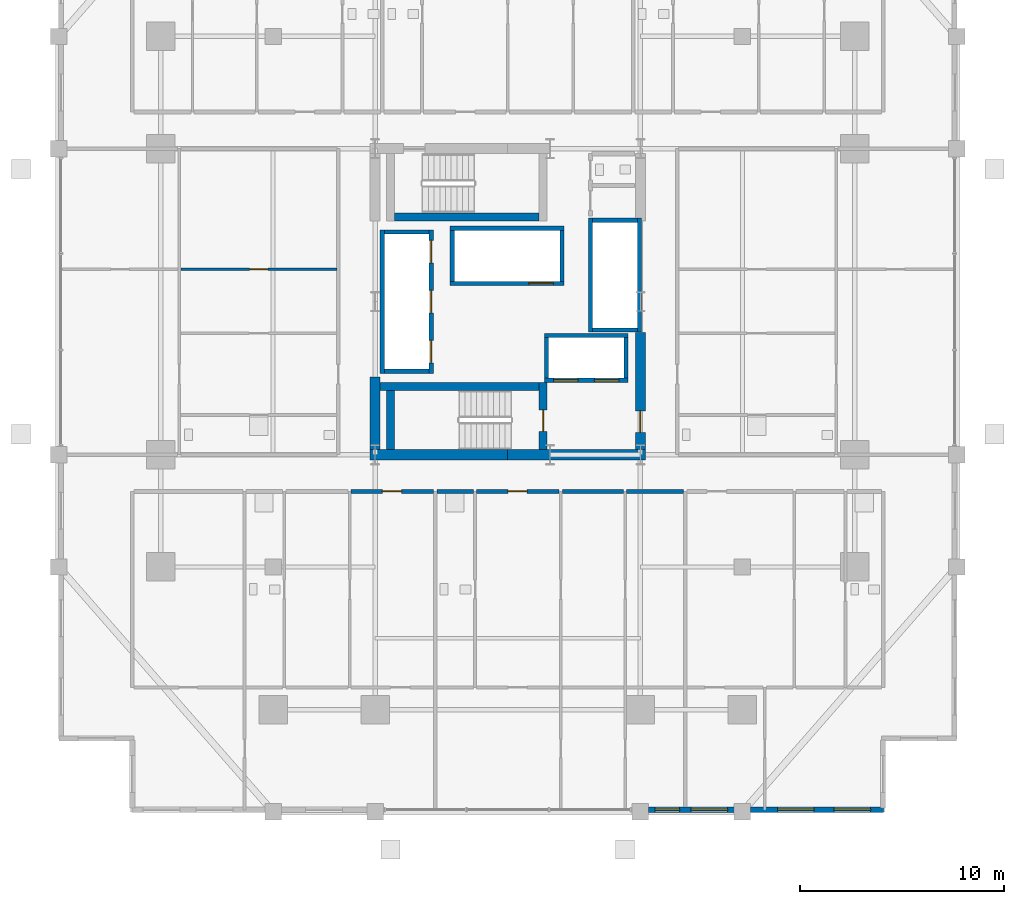
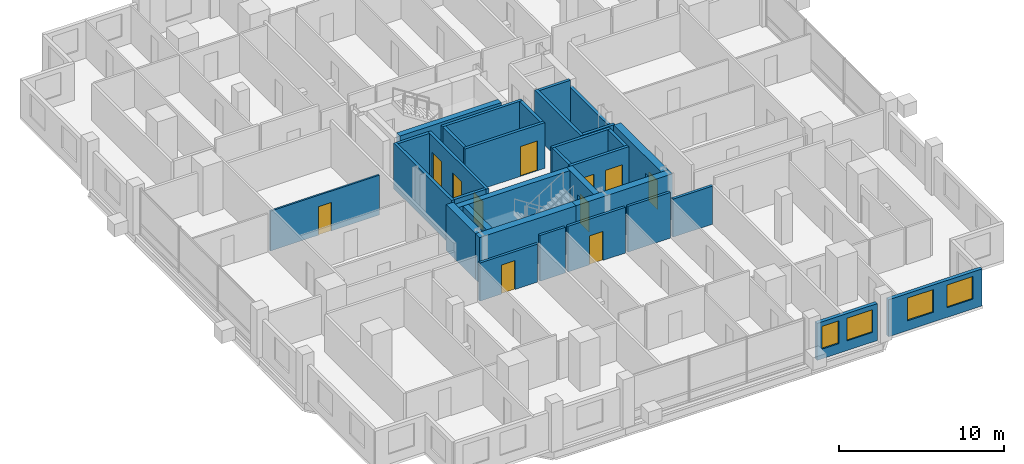
# One storey, part 18 of 24: 32 walls, 11 doors, 4 windows, 15 openings.
"""IFC4 building model written with IfcOpenShell, lengths in metres."""

import ifcopenshell
import ifcopenshell.guid

model = None  # the IFC model being written
_history = None  # IfcOwnerHistory: only IFC2X3 demands one
_inside = {}  # id of a spatial element -> (the spatial element, [elements in it])
_under = {}  # id of a project, library or spatial element -> (it, [spatial elements below it])
_declared = {}  # id of a project -> (the project, [libraries it declares])
_typed = {}  # id of a type object -> (the type object, [elements of that type])
_made_of = {}  # id of a material, layer set ... -> (it, [elements and type objects made of it])


def new_model(schema):
    """Start an empty IFC model of exactly this schema.

    Asked for "IFC4X3", IfcOpenShell would pick the latest addendum, in which some entities
    have other attributes; the version numbers below select the first issue.
    IFC2X3 requires an IfcOwnerHistory on every rooted entity: one is made here for all.
    """
    global model, _history
    if schema == "IFC4X3":
        model = ifcopenshell.file(schema_version=(4, 3, 0, 0))
    else:
        model = ifcopenshell.file(schema=schema)
    _inside.clear()
    _under.clear()
    _declared.clear()
    _typed.clear()
    _made_of.clear()
    _history = None
    if model.schema == "IFC2X3":
        org = make("IfcOrganization", Name="unknown")
        user = make(
            "IfcPersonAndOrganization",
            ThePerson=make("IfcPerson", FamilyName="unknown"),
            TheOrganization=org,
        )
        app = make(
            "IfcApplication",
            ApplicationDeveloper=org,
            Version="unknown",
            ApplicationFullName="unknown",
            ApplicationIdentifier="unknown",
        )
        _history = make(
            "IfcOwnerHistory",
            OwningUser=user,
            OwningApplication=app,
            ChangeAction="ADDED",
            CreationDate=0,
        )
    return model


def make(cls, **values):
    """One entity of the class cls with the attributes given. An attribute that is None is left unset."""
    return model.create_entity(
        cls, **{name: value for name, value in values.items() if value is not None}
    )


def rooted(cls, **values):
    """An entity with a GlobalId (a new one), such as an element, a storey or a relation."""
    return make(cls, GlobalId=ifcopenshell.guid.new(), OwnerHistory=_history, **values)


def si_unit(unit_type, name, prefix=None):
    """IfcSIUnit, for example si_unit("LENGTHUNIT", "METRE", prefix="MILLI")."""
    return make("IfcSIUnit", UnitType=unit_type, Prefix=prefix, Name=name)


def assignment(units):
    """IfcUnitAssignment: the units of a project."""
    return None if units is None else make("IfcUnitAssignment", Units=units)


def point(xyz):
    """IfcCartesianPoint."""
    return None if xyz is None else make("IfcCartesianPoint", Coordinates=xyz)


def direction(xyz):
    """IfcDirection."""
    return None if xyz is None else make("IfcDirection", DirectionRatios=xyz)


def frame(location, z_axis=None, x_axis=None):
    """IfcAxis2Placement3D, a coordinate frame: its origin and axes. An axis left out is left unset."""
    return make(
        "IfcAxis2Placement3D",
        Location=point(location),
        Axis=direction(z_axis),
        RefDirection=direction(x_axis),
    )


def frame_2d(location, x_axis=None):
    """IfcAxis2Placement2D, a coordinate frame in the plane: its origin and x axis."""
    return make(
        "IfcAxis2Placement2D", Location=point(location), RefDirection=direction(x_axis)
    )


def origin():
    """The frame at (0, 0, 0) with its axes left unset."""
    return frame((0.0, 0.0, 0.0))


def place(relative_to, where):
    """IfcLocalPlacement: puts the frame where relative to a parent placement (None: the world)."""
    return make(
        "IfcLocalPlacement", PlacementRelTo=relative_to, RelativePlacement=where
    )


def context(
    kind, dimensions, precision=None, world=None, true_north=None, identifier=None
):
    """IfcGeometricRepresentationContext, for example the 3D "Model" context."""
    return make(
        "IfcGeometricRepresentationContext",
        ContextIdentifier=identifier,
        ContextType=kind,
        CoordinateSpaceDimension=dimensions,
        Precision=precision,
        WorldCoordinateSystem=world,
        TrueNorth=true_north,
    )


def subcontext(parent, identifier, kind, view, scale=None):
    """IfcGeometricRepresentationSubContext, for example "Body" below "Model"."""
    return make(
        "IfcGeometricRepresentationSubContext",
        ContextIdentifier=identifier,
        ContextType=kind,
        ParentContext=parent,
        TargetScale=scale,
        TargetView=view,
    )


def project(units=None, contexts=None):
    """IfcProject with its units and contexts."""
    return rooted(
        "IfcProject",
        Name="project",
        RepresentationContexts=contexts,
        UnitsInContext=assignment(units),
    )


def spatial(cls, under=None, at=None, **own):
    """A site, building, storey or space (cls), placed at a placement, below another one or the project."""
    s = rooted(cls, ObjectPlacement=at, **own)
    if under is not None:
        _under.setdefault(under.id(), (under, []))[1].append(s)
    return s


def profile(cls, at=None, kind="AREA", **sizes):
    """A parametric profile (cls). Its sizes go by their IFC names, for example OverallWidth=200.0."""
    return make(cls, ProfileType=kind, Position=at, **sizes)


def rectangle(**sizes):
    """IfcRectangleProfileDef."""
    return profile("IfcRectangleProfileDef", **sizes)


def extrude(swept, where, along, depth):
    """IfcExtrudedAreaSolid: the profile swept, set in the frame where, extruded along a direction by depth."""
    return make(
        "IfcExtrudedAreaSolid",
        SweptArea=swept,
        Position=where,
        ExtrudedDirection=direction(along),
        Depth=depth,
    )


def shape(context_of_items, identifier, shape_type, items):
    """IfcShapeRepresentation: the items that make up one representation, for example the "Body"."""
    return make(
        "IfcShapeRepresentation",
        ContextOfItems=context_of_items,
        RepresentationIdentifier=identifier,
        RepresentationType=shape_type,
        Items=items,
    )


def material(Name=None, Category=None):
    """IfcMaterial."""
    return make("IfcMaterial", Name=Name, Category=Category)


def layer(
    of_material, thickness, ventilated=None, Name=None, Category=None, Priority=None
):
    """IfcMaterialLayer: one layer of a wall or slab, of a material (None: an air gap)."""
    return make(
        "IfcMaterialLayer",
        Material=of_material,
        LayerThickness=thickness,
        IsVentilated=ventilated,
        Name=Name,
        Category=Category,
        Priority=Priority,
    )


def layer_set(layers, Name=None):
    """IfcMaterialLayerSet."""
    return make("IfcMaterialLayerSet", MaterialLayers=layers, LayerSetName=Name)


def made_of(thing, what):
    """Note that an element or type object is made of a material, layer set ...; save() writes the relation."""
    if what is not None:
        _made_of.setdefault(what.id(), (what, []))[1].append(thing)
    return thing


def type_object(cls, material=None, **own):
    """A type object (cls), such as IfcWallType, which elements share."""
    return made_of(rooted(cls, **own), material)


def element(
    cls,
    number,
    at=None,
    inside=None,
    cuts=None,
    type_object=None,
    material=None,
    context=None,
    identifier="Body",
    shape_type=None,
    held_by="IfcProductDefinitionShape",
    body=None,
    shapes=None,
    **own,
):
    """One element of the class cls, such as IfcWall. Its Tag is "e" and its number.

    at: its placement. inside: the storey or other place that contains it. cuts: it is an
    opening in that element (IfcRelVoidsElement). A single representation is given by context,
    identifier, shape_type and body (its items); several are given by shapes. held_by: the class
    of the entity that holds the representations. save() writes the other relations.
    """
    e = rooted(cls, Tag="e%d" % number, ObjectPlacement=at, **own)
    if body is not None:
        shapes = [shape(context, identifier, shape_type, body)]
    if shapes is not None:
        e.Representation = make(held_by, Representations=shapes)
    if inside is not None:
        _inside.setdefault(inside.id(), (inside, []))[1].append(e)
    if cuts is not None:
        rooted(
            "IfcRelVoidsElement", RelatingBuildingElement=cuts, RelatedOpeningElement=e
        )
    if type_object is not None:
        _typed.setdefault(type_object.id(), (type_object, []))[1].append(e)
    return made_of(e, material)


def fill(opening, filler):
    """IfcRelFillsElement: the door or window that sits in an opening."""
    return rooted(
        "IfcRelFillsElement",
        RelatingOpeningElement=opening,
        RelatedBuildingElement=filler,
    )


def aggregate(whole, parts):
    """IfcRelAggregates: a whole, such as a stair, and the parts it consists of."""
    return rooted("IfcRelAggregates", RelatingObject=whole, RelatedObjects=parts)


def save(model, path):
    """Write the relations noted so far, then the file.

    IfcRelAggregates (storeys below a building ...), IfcRelContainedInSpatialStructure (elements
    in a storey), IfcRelDefinesByType, IfcRelAssociatesMaterial and IfcRelDeclares: one each for
    every whole, place, type object, material and project.
    """
    for whole, parts in _under.values():
        aggregate(whole, parts)
    for where, things in _inside.values():
        rooted(
            "IfcRelContainedInSpatialStructure",
            RelatedElements=things,
            RelatingStructure=where,
        )
    for kind, things in _typed.values():
        rooted("IfcRelDefinesByType", RelatedObjects=things, RelatingType=kind)
    for what, things in _made_of.values():
        rooted("IfcRelAssociatesMaterial", RelatedObjects=things, RelatingMaterial=what)
    for by, libraries in _declared.values():
        rooted("IfcRelDeclares", RelatingContext=by, RelatedDefinitions=libraries)
    model.write(path)


model = new_model("IFC4")

# Units and contexts
model_context = context("Model", 3, precision=1e-05, world=origin(), true_north=direction((0.0, 1.0)))
body_context = subcontext(model_context, "Body", "Model", "MODEL_VIEW")
ifc_project = project(units=[si_unit("LENGTHUNIT", "METRE"), si_unit("AREAUNIT", "SQUARE_METRE"), si_unit("VOLUMEUNIT", "CUBIC_METRE"), si_unit("PLANEANGLEUNIT", "RADIAN"), si_unit("MASSUNIT", "GRAM", prefix="KILO")], contexts=[model_context])

# Site, building, storey
site_placement = place(None, origin())
site = spatial("IfcSite", under=ifc_project, at=site_placement, CompositionType="ELEMENT")
building_placement = place(site_placement, origin())
building = spatial("IfcBuilding", under=site, at=building_placement, Name="Barlavira Tower and Art Museum", CompositionType="ELEMENT")
storey_placement = place(building_placement, frame((0.0, 0.0, 43.199951171875)))
storey = spatial("IfcBuildingStorey", under=building, at=storey_placement, Name="L09", CompositionType="ELEMENT", Elevation=43.199951171875)

# Wall, opening, door
ifc_material_1 = material(Name="Gypsum acoustic stud partition", Category="gypsum")
ifc_layer_1 = layer(ifc_material_1, 0.1201171875, Name="Gypsum acoustic stud partition")
ifc_layer_set_1 = layer_set([ifc_layer_1], Name="Gypsum acoustic stud partition")
wall_type_1 = type_object("IfcWallType", Name="Apartment Internal Acoustic Partition 120", PredefinedType="PARTITIONING", material=ifc_layer_set_1)
wall_1_placement = place(storey_placement, frame((-16.02001953125, 1.60009765625, 0.0), z_axis=(0.0, 0.0, 1.0), x_axis=(1.0, 0.0, 0.0)))
wall_1 = element("IfcWall", 1, at=wall_1_placement, inside=storey, type_object=wall_type_1, Name="L09 Partition Wall 64", PredefinedType="PARTITIONING", context=body_context, shape_type="SweptSolid", body=[
    extrude(rectangle(XDim=7.64013671875, YDim=0.1201171875, at=frame_2d((3.820068359375, 0.0))), origin(), (0.0, 0.0, 1.0), 2.947998046875),
])
opening_1_placement = place(wall_1_placement, frame((3.3701171875, 0.0, 0.0)))
opening_1 = element("IfcOpeningElement", 2, at=opening_1_placement, cuts=wall_1, Name="Opening D-01", PredefinedType="OPENING", context=body_context, shape_type="SweptSolid", body=[
    extrude(rectangle(XDim=0.89990234375, YDim=2.10009765625, at=frame_2d((0.449951171875, 1.050048828125))), frame((0.0, 0.070068359375, 0.0), z_axis=(0.0, -1.0, 0.0), x_axis=(1.0, 0.0, 0.0)), (0.0, 0.0, 1.0), 0.14013671875),
])
ifc_material_2 = material(Name="Engineered coastal hardwood", Category="wood")
door_type_1 = type_object("IfcDoorType", Name="Internal Bedroom Timber Flush Door 900x2100", OperationType="NOTDEFINED", PredefinedType="DOOR", material=ifc_material_2)
door_1_placement = place(opening_1_placement, origin())
door_1 = element("IfcDoor", 3, at=door_1_placement, inside=storey, type_object=door_type_1, Name="Apartment W1 Walk-In Dressing Room Door", OperationType="SINGLE_SWING_LEFT", OverallHeight=2.10009765625, OverallWidth=0.89990234375, PredefinedType="DOOR", context=body_context, shape_type="SweptSolid", body=[
    extrude(rectangle(XDim=0.89990234375, YDim=2.10009765625, at=frame_2d((0.449951171875, 1.050048828125))), frame((0.0, 0.02490234375, 0.0), z_axis=(0.0, -1.0, 0.0), x_axis=(1.0, 0.0, 0.0)), (0.0, 0.0, 1.0), 0.050048828125),
])
fill(opening_1, door_1)

# Walls
ifc_material_3 = material(Name="Concrete C60", Category="concrete")
ifc_layer_2 = layer(ifc_material_3, 0.5, Name="Concrete C60")
ifc_layer_set_2 = layer_set([ifc_layer_2], Name="Concrete C60")
wall_type_2 = type_object("IfcWallType", Name="Core Structural Shear Wall 500 Concrete C60", PredefinedType="SHEAR", material=ifc_layer_set_2)
for number, where, z_axis, x_axis, name in (
    (4, (-6.75, -7.5, 0.0), (0.0, 0.0, 1.0), (1.0, 0.0, 0.0), "L09 Core Shear Wall CS-SW"),
    (5, (0.0, -7.5, 0.0), (0.0, 0.0, 1.0), (1.0, 0.0, 0.0), "L09 Core Shear Wall CS-SE"),
):
    element("IfcWall", number, at=place(storey_placement, frame(where, z_axis=z_axis, x_axis=x_axis)), inside=storey, type_object=wall_type_2, Name=name, PredefinedType="SHEAR", context=body_context, shape_type="SweptSolid", body=[
        extrude(rectangle(XDim=6.75, YDim=0.5, at=frame_2d((3.375, 0.0))), origin(), (0.0, 0.0, 1.0), 3.380126953125),
    ])
wall_2_placement = place(storey_placement, frame((-6.5, -7.25, 0.0), z_axis=(0.0, 0.0, 1.0), x_axis=(0.0, 1.0, 0.0)))
element("IfcWall", 6, at=wall_2_placement, inside=storey, type_object=wall_type_2, Name="L09 Core Shear Wall CS-W1", PredefinedType="SHEAR", context=body_context, shape_type="SweptSolid", body=[
    extrude(rectangle(XDim=3.550048828125, YDim=0.5, at=frame_2d((1.77490234375, 0.0))), origin(), (0.0, 0.0, 1.0), 3.380126953125),
])

# Wall, opening, door
wall_3_placement = place(storey_placement, frame((6.5, -7.25, 0.0), z_axis=(0.0, 0.0, 1.0), x_axis=(0.0, 1.0, 0.0)))
wall_3 = element("IfcWall", 7, at=wall_3_placement, inside=storey, type_object=wall_type_2, Name="L09 Core Shear Wall CS-E1", PredefinedType="SHEAR", context=body_context, shape_type="SweptSolid", body=[
    extrude(rectangle(XDim=5.75, YDim=0.5, at=frame_2d((2.875, 0.0))), origin(), (0.0, 0.0, 1.0), 3.380126953125),
])
opening_2_placement = place(wall_3_placement, frame((0.85009765625, 0.0, 0.0)))
opening_2 = element("IfcOpeningElement", 8, at=opening_2_placement, cuts=wall_3, Name="Opening FD-90", PredefinedType="OPENING", context=body_context, shape_type="SweptSolid", body=[
    extrude(rectangle(XDim=1.050048828125, YDim=2.14990234375, at=frame_2d((0.52490234375, 1.074951171875))), frame((0.0, 0.260009765625, 0.0), z_axis=(0.0, -1.0, 0.0), x_axis=(1.0, 0.0, 0.0)), (0.0, 0.0, 1.0), 0.52001953125),
])
ifc_material_4 = material(Name="Brushed stainless steel", Category="steel")
door_type_2 = type_object("IfcDoorType", Name="Stair and Refuge Fire Door 1050x2150 FD90S", OperationType="NOTDEFINED", PredefinedType="DOOR", material=ifc_material_4)
door_2_placement = place(opening_2_placement, origin())
door_2 = element("IfcDoor", 9, at=door_2_placement, inside=storey, type_object=door_type_2, Name="L09 Firefighting Lobby Entry Fire Door", OperationType="SINGLE_SWING_LEFT", OverallHeight=2.14990234375, OverallWidth=1.050048828125, PredefinedType="DOOR", context=body_context, shape_type="SweptSolid", body=[
    extrude(rectangle(XDim=1.050048828125, YDim=2.14990234375, at=frame_2d((0.52490234375, 1.074951171875))), frame((0.0, 0.02490234375, 0.0), z_axis=(0.0, -1.0, 0.0), x_axis=(1.0, 0.0, 0.0)), (0.0, 0.0, 1.0), 0.050048828125),
])
fill(opening_2, door_2)

# Wall, openings, doors
ifc_material_5 = material(Name="Autoclaved aerated concrete masonry", Category="masonry")
ifc_layer_3 = layer(ifc_material_5, 0.199951171875, Name="Autoclaved aerated concrete masonry")
ifc_layer_set_3 = layer_set([ifc_layer_3], Name="Autoclaved aerated concrete masonry")
wall_type_3 = type_object("IfcWallType", Name="Fire Compartment and Shaft Wall 200", PredefinedType="SOLIDWALL", material=ifc_layer_set_3)
wall_4_placement = place(storey_placement, frame((-3.75, -3.510009765625, 0.0), z_axis=(0.0, 0.0, 1.0), x_axis=(0.0, 1.0, 0.0)))
wall_4 = element("IfcWall", 10, at=wall_4_placement, inside=storey, type_object=wall_type_3, Name="L09 Low-Rise Lift Front Shaft Wall", PredefinedType="SOLIDWALL", context=body_context, shape_type="SweptSolid", body=[
    extrude(rectangle(XDim=7.02001953125, YDim=0.199951171875, at=frame_2d((3.510009765625, 0.0))), origin(), (0.0, 0.0, 1.0), 3.380126953125),
])
opening_3_placement = place(wall_4_placement, frame((0.510009765625, 0.0, 0.0)))
opening_3 = element("IfcOpeningElement", 11, at=opening_3_placement, cuts=wall_4, Name="Opening LD-P", PredefinedType="OPENING", context=body_context, shape_type="SweptSolid", body=[
    extrude(rectangle(XDim=1.10009765625, YDim=2.14990234375, at=frame_2d((0.550048828125, 1.074951171875))), frame((0.0, 0.10986328125, 0.0), z_axis=(0.0, -1.0, 0.0), x_axis=(1.0, 0.0, 0.0)), (0.0, 0.0, 1.0), 0.219970703125),
])
opening_4_placement = place(wall_4_placement, frame((2.9599609375, 0.0, 0.0)))
opening_4 = element("IfcOpeningElement", 12, at=opening_4_placement, cuts=wall_4, Name="Opening LD-P", PredefinedType="OPENING", context=body_context, shape_type="SweptSolid", body=[
    extrude(rectangle(XDim=1.10009765625, YDim=2.14990234375, at=frame_2d((0.550048828125, 1.074951171875))), frame((0.0, 0.10986328125, 0.0), z_axis=(0.0, -1.0, 0.0), x_axis=(1.0, 0.0, 0.0)), (0.0, 0.0, 1.0), 0.219970703125),
])
opening_5_placement = place(wall_4_placement, frame((5.409912109375, 0.0, 0.0)))
opening_5 = element("IfcOpeningElement", 13, at=opening_5_placement, cuts=wall_4, Name="Opening LD-P", PredefinedType="OPENING", context=body_context, shape_type="SweptSolid", body=[
    extrude(rectangle(XDim=1.10009765625, YDim=2.14990234375, at=frame_2d((0.550048828125, 1.074951171875))), frame((0.0, 0.10986328125, 0.0), z_axis=(0.0, -1.0, 0.0), x_axis=(1.0, 0.0, 0.0)), (0.0, 0.0, 1.0), 0.219970703125),
])
door_type_3 = type_object("IfcDoorType", Name="Passenger Lift Sliding Landing Door 1100x2150 FD60", OperationType="NOTDEFINED", PredefinedType="DOOR", material=ifc_material_4)
door_3_placement = place(opening_3_placement, origin())
door_3 = element("IfcDoor", 14, at=door_3_placement, inside=storey, type_object=door_type_3, Name="L09 Lift PL1 Sliding Landing Door", OperationType="DOUBLE_DOOR_SLIDING", OverallHeight=2.14990234375, OverallWidth=1.10009765625, PredefinedType="DOOR", context=body_context, shape_type="SweptSolid", body=[
    extrude(rectangle(XDim=1.10009765625, YDim=2.14990234375, at=frame_2d((0.550048828125, 1.074951171875))), frame((0.0, 0.02490234375, 0.0), z_axis=(0.0, -1.0, 0.0), x_axis=(1.0, 0.0, 0.0)), (0.0, 0.0, 1.0), 0.050048828125),
])
fill(opening_3, door_3)
door_4_placement = place(opening_4_placement, origin())
door_4 = element("IfcDoor", 15, at=door_4_placement, inside=storey, type_object=door_type_3, Name="L09 Lift PL2 Sliding Landing Door", OperationType="DOUBLE_DOOR_SLIDING", OverallHeight=2.14990234375, OverallWidth=1.10009765625, PredefinedType="DOOR", context=body_context, shape_type="SweptSolid", body=[
    extrude(rectangle(XDim=1.10009765625, YDim=2.14990234375, at=frame_2d((0.550048828125, 1.074951171875))), frame((0.0, 0.02490234375, 0.0), z_axis=(0.0, -1.0, 0.0), x_axis=(1.0, 0.0, 0.0)), (0.0, 0.0, 1.0), 0.050048828125),
])
fill(opening_4, door_4)
door_5_placement = place(opening_5_placement, origin())
door_5 = element("IfcDoor", 16, at=door_5_placement, inside=storey, type_object=door_type_3, Name="L09 Lift PL3 Sliding Landing Door", OperationType="DOUBLE_DOOR_SLIDING", OverallHeight=2.14990234375, OverallWidth=1.10009765625, PredefinedType="DOOR", context=body_context, shape_type="SweptSolid", body=[
    extrude(rectangle(XDim=1.10009765625, YDim=2.14990234375, at=frame_2d((0.550048828125, 1.074951171875))), frame((0.0, 0.02490234375, 0.0), z_axis=(0.0, -1.0, 0.0), x_axis=(1.0, 0.0, 0.0)), (0.0, 0.0, 1.0), 0.050048828125),
])
fill(opening_5, door_5)

# Walls
wall_5_placement = place(storey_placement, frame((-6.14990234375, -3.510009765625, 0.0), z_axis=(0.0, 0.0, 1.0), x_axis=(0.0, 1.0, 0.0)))
element("IfcWall", 17, at=wall_5_placement, inside=storey, type_object=wall_type_3, Name="L09 Low-Rise Lift Back Shaft Wall", PredefinedType="SOLIDWALL", context=body_context, shape_type="SweptSolid", body=[
    extrude(rectangle(XDim=7.02001953125, YDim=0.199951171875, at=frame_2d((3.510009765625, 0.0))), origin(), (0.0, 0.0, 1.0), 3.380126953125),
])
for number, where, z_axis, x_axis, name in (
    (18, (-6.050048828125, -3.409912109375, 0.0), (0.0, 0.0, 1.0), (1.0, 0.0, 0.0), "L09 Low-Rise Lift South Shaft Wall"),
    (19, (-6.050048828125, 3.409912109375, 0.0), (0.0, 0.0, 1.0), (1.0, 0.0, 0.0), "L09 Low-Rise Lift North Shaft Wall"),
):
    element("IfcWall", number, at=place(storey_placement, frame(where, z_axis=z_axis, x_axis=x_axis)), inside=storey, type_object=wall_type_3, Name=name, PredefinedType="SOLIDWALL", context=body_context, shape_type="SweptSolid", body=[
        extrude(rectangle(XDim=2.199951171875, YDim=0.199951171875, at=frame_2d((1.10009765625, 0.0))), origin(), (0.0, 0.0, 1.0), 3.380126953125),
    ])
wall_6_placement = place(storey_placement, frame((4.050048828125, -1.489990234375, 0.0), z_axis=(0.0, 0.0, 1.0), x_axis=(0.0, 1.0, 0.0)))
element("IfcWall", 20, at=wall_6_placement, inside=storey, type_object=wall_type_3, Name="L09 Mid-Rise Lift Front Shaft Wall", PredefinedType="SOLIDWALL", context=body_context, shape_type="SweptSolid", body=[
    extrude(rectangle(XDim=5.580078125, YDim=0.199951171875, at=frame_2d((2.7900390625, 0.0))), origin(), (0.0, 0.0, 1.0), 3.380126953125),
])
wall_7_placement = place(storey_placement, frame((6.449951171875, -1.489990234375, 0.0), z_axis=(0.0, 0.0, 1.0), x_axis=(0.0, 1.0, 0.0)))
element("IfcWall", 21, at=wall_7_placement, inside=storey, type_object=wall_type_3, Name="L09 Mid-Rise Lift Back Shaft Wall", PredefinedType="SOLIDWALL", context=body_context, shape_type="SweptSolid", body=[
    extrude(rectangle(XDim=5.580078125, YDim=0.199951171875, at=frame_2d((2.7900390625, 0.0))), origin(), (0.0, 0.0, 1.0), 2.816162109375),
])
for number, where, z_axis, x_axis, name in (
    (22, (4.14990234375, -1.389892578125, 0.0), (0.0, 0.0, 1.0), (1.0, 0.0, 0.0), "L09 Mid-Rise Lift South Shaft Wall"),
    (23, (4.14990234375, 3.989990234375, 0.0), (0.0, 0.0, 1.0), (1.0, 0.0, 0.0), "L09 Mid-Rise Lift North Shaft Wall"),
):
    element("IfcWall", number, at=place(storey_placement, frame(where, z_axis=z_axis, x_axis=x_axis)), inside=storey, type_object=wall_type_3, Name=name, PredefinedType="SOLIDWALL", context=body_context, shape_type="SweptSolid", body=[
        extrude(rectangle(XDim=2.2001953125, YDim=0.199951171875, at=frame_2d((1.10009765625, 0.0))), origin(), (0.0, 0.0, 1.0), 3.380126953125),
    ])

# Wall, opening, door
wall_8_placement = place(storey_placement, frame((-2.820068359375, 0.89990234375, 0.0), z_axis=(0.0, 0.0, 1.0), x_axis=(1.0, 0.0, 0.0)))
wall_8 = element("IfcWall", 24, at=wall_8_placement, inside=storey, type_object=wall_type_3, Name="L09 High-Rise & Service Lift Front Wall", PredefinedType="SOLIDWALL", context=body_context, shape_type="SweptSolid", body=[
    extrude(rectangle(XDim=5.580078125, YDim=0.199951171875, at=frame_2d((2.7900390625, 0.0))), origin(), (0.0, 0.0, 1.0), 3.380126953125),
])
opening_6_placement = place(wall_8_placement, frame((3.860107421875, 0.0, 0.0)))
opening_6 = element("IfcOpeningElement", 25, at=opening_6_placement, cuts=wall_8, Name="Opening LD-F", PredefinedType="OPENING", context=body_context, shape_type="SweptSolid", body=[
    extrude(rectangle(XDim=1.199951171875, YDim=2.199951171875, at=frame_2d((0.60009765625, 1.10009765625))), frame((0.0, 0.10986328125, 0.0), z_axis=(0.0, -1.0, 0.0), x_axis=(1.0, 0.0, 0.0)), (0.0, 0.0, 1.0), 0.219970703125),
])
door_type_4 = type_object("IfcDoorType", Name="Firefighting and Service Lift Sliding Door 1200x2200 FD120", OperationType="NOTDEFINED", PredefinedType="DOOR", material=ifc_material_4)
door_6_placement = place(opening_6_placement, origin())
door_6 = element("IfcDoor", 26, at=door_6_placement, inside=storey, type_object=door_type_4, Name="L09 Stretcher Service Lift SL1 Sliding Door", OperationType="DOUBLE_DOOR_SLIDING", OverallHeight=2.199951171875, OverallWidth=1.199951171875, PredefinedType="DOOR", context=body_context, shape_type="SweptSolid", body=[
    extrude(rectangle(XDim=1.199951171875, YDim=2.199951171875, at=frame_2d((0.60009765625, 1.10009765625))), frame((0.0, 0.02490234375, 0.0), z_axis=(0.0, -1.0, 0.0), x_axis=(1.0, 0.0, 0.0)), (0.0, 0.0, 1.0), 0.050048828125),
])
fill(opening_6, door_6)

# Walls
wall_9_placement = place(storey_placement, frame((-2.820068359375, 3.60009765625, 0.0), z_axis=(0.0, 0.0, 1.0), x_axis=(1.0, 0.0, 0.0)))
element("IfcWall", 27, at=wall_9_placement, inside=storey, type_object=wall_type_3, Name="L09 High-Rise & Service Lift Back Wall", PredefinedType="SOLIDWALL", context=body_context, shape_type="SweptSolid", body=[
    extrude(rectangle(XDim=5.580078125, YDim=0.199951171875, at=frame_2d((2.7900390625, 0.0))), origin(), (0.0, 0.0, 1.0), 3.380126953125),
])
for number, where, z_axis, x_axis, name in (
    (28, (-2.719970703125, 1.0, 0.0), (0.0, 0.0, 1.0), (0.0, 1.0, 0.0), "L09 High-Rise & Service Lift West Wall"),
    (29, (2.659912109375, 1.0, 0.0), (0.0, 0.0, 1.0), (0.0, 1.0, 0.0), "L09 High-Rise & Service Lift East Wall"),
):
    element("IfcWall", number, at=place(storey_placement, frame(where, z_axis=z_axis, x_axis=x_axis)), inside=storey, type_object=wall_type_3, Name=name, PredefinedType="SOLIDWALL", context=body_context, shape_type="SweptSolid", body=[
        extrude(rectangle(XDim=2.5, YDim=0.199951171875, at=frame_2d((1.25, 0.0))), origin(), (0.0, 0.0, 1.0), 3.380126953125),
    ])

# Wall, openings, doors
wall_10_placement = place(storey_placement, frame((1.800048828125, -3.85009765625, 0.0), z_axis=(0.0, 0.0, 1.0), x_axis=(1.0, 0.0, 0.0)))
wall_10 = element("IfcWall", 30, at=wall_10_placement, inside=storey, type_object=wall_type_3, Name="L09 Firefighting Lift Front Shaft Wall", PredefinedType="SOLIDWALL", context=body_context, shape_type="SweptSolid", body=[
    extrude(rectangle(XDim=4.099853515625, YDim=0.199951171875, at=frame_2d((2.0498046875, 0.0))), origin(), (0.0, 0.0, 1.0), 3.380126953125),
])
opening_7_placement = place(wall_10_placement, frame((0.449951171875, 0.0, 0.0)))
opening_7 = element("IfcOpeningElement", 31, at=opening_7_placement, cuts=wall_10, Name="Opening LD-F", PredefinedType="OPENING", context=body_context, shape_type="SweptSolid", body=[
    extrude(rectangle(XDim=1.199951171875, YDim=2.199951171875, at=frame_2d((0.60009765625, 1.10009765625))), frame((0.0, 0.10986328125, 0.0), z_axis=(0.0, -1.0, 0.0), x_axis=(1.0, 0.0, 0.0)), (0.0, 0.0, 1.0), 0.219970703125),
])
opening_8_placement = place(wall_10_placement, frame((2.449951171875, 0.0, 0.0)))
opening_8 = element("IfcOpeningElement", 32, at=opening_8_placement, cuts=wall_10, Name="Opening LD-F", PredefinedType="OPENING", context=body_context, shape_type="SweptSolid", body=[
    extrude(rectangle(XDim=1.199951171875, YDim=2.199951171875, at=frame_2d((0.60009765625, 1.10009765625))), frame((0.0, 0.10986328125, 0.0), z_axis=(0.0, -1.0, 0.0), x_axis=(1.0, 0.0, 0.0)), (0.0, 0.0, 1.0), 0.219970703125),
])
door_7_placement = place(opening_7_placement, origin())
door_7 = element("IfcDoor", 33, at=door_7_placement, inside=storey, type_object=door_type_4, Name="L09 Firefighting Lift FF1 Sliding Door", OperationType="DOUBLE_DOOR_SLIDING", OverallHeight=2.199951171875, OverallWidth=1.199951171875, PredefinedType="DOOR", context=body_context, shape_type="SweptSolid", body=[
    extrude(rectangle(XDim=1.199951171875, YDim=2.199951171875, at=frame_2d((0.60009765625, 1.10009765625))), frame((0.0, 0.02490234375, 0.0), z_axis=(0.0, -1.0, 0.0), x_axis=(1.0, 0.0, 0.0)), (0.0, 0.0, 1.0), 0.050048828125),
])
fill(opening_7, door_7)
door_8_placement = place(opening_8_placement, origin())
door_8 = element("IfcDoor", 34, at=door_8_placement, inside=storey, type_object=door_type_4, Name="L09 Firefighting Lift FF2 Sliding Door", OperationType="DOUBLE_DOOR_SLIDING", OverallHeight=2.199951171875, OverallWidth=1.199951171875, PredefinedType="DOOR", context=body_context, shape_type="SweptSolid", body=[
    extrude(rectangle(XDim=1.199951171875, YDim=2.199951171875, at=frame_2d((0.60009765625, 1.10009765625))), frame((0.0, 0.02490234375, 0.0), z_axis=(0.0, -1.0, 0.0), x_axis=(1.0, 0.0, 0.0)), (0.0, 0.0, 1.0), 0.050048828125),
])
fill(opening_8, door_8)

# Walls
wall_11_placement = place(storey_placement, frame((1.800048828125, -1.64990234375, 0.0), z_axis=(0.0, 0.0, 1.0), x_axis=(1.0, 0.0, 0.0)))
element("IfcWall", 35, at=wall_11_placement, inside=storey, type_object=wall_type_3, Name="L09 Firefighting Lift Back Shaft Wall", PredefinedType="SOLIDWALL", context=body_context, shape_type="SweptSolid", body=[
    extrude(rectangle(XDim=4.099853515625, YDim=0.199951171875, at=frame_2d((2.0498046875, 0.0))), origin(), (0.0, 0.0, 1.0), 3.380126953125),
])
for number, where, z_axis, x_axis, name in (
    (36, (1.89990234375, -3.75, 0.0), (0.0, 0.0, 1.0), (0.0, 1.0, 0.0), "L09 Firefighting Lift West Shaft Wall"),
    (37, (5.800048828125, -3.75, 0.0), (0.0, 0.0, 1.0), (0.0, 1.0, 0.0), "L09 Firefighting Lift East Shaft Wall"),
):
    element("IfcWall", number, at=place(storey_placement, frame(where, z_axis=z_axis, x_axis=x_axis)), inside=storey, type_object=wall_type_3, Name=name, PredefinedType="SOLIDWALL", context=body_context, shape_type="SweptSolid", body=[
        extrude(rectangle(XDim=2.0, YDim=0.199951171875, at=frame_2d((1.0, 0.0))), origin(), (0.0, 0.0, 1.0), 3.380126953125),
    ])

# Wall, opening, door
ifc_layer_4 = layer(ifc_material_1, 0.179931640625, Name="Gypsum acoustic stud partition")
ifc_layer_set_4 = layer_set([ifc_layer_4], Name="Gypsum acoustic stud partition")
wall_type_4 = type_object("IfcWallType", Name="Inter-Tenancy Party Partition Wall 180", PredefinedType="PARTITIONING", material=ifc_layer_set_4)
wall_12_placement = place(storey_placement, frame((-7.669921875, -9.300048828125, 0.0), z_axis=(0.0, 0.0, 1.0), x_axis=(1.0, 0.0, 0.0)))
wall_12 = element("IfcWall", 38, at=wall_12_placement, inside=storey, type_object=wall_type_4, Name="L09 Partition Wall 47", PredefinedType="PARTITIONING", context=body_context, shape_type="SweptSolid", body=[
    extrude(rectangle(XDim=4.0400390625, YDim=0.179931640625, at=frame_2d((2.02001953125, 0.0))), origin(), (0.0, 0.0, 1.0), 2.816162109375),
])
opening_9_placement = place(wall_12_placement, frame((1.52490234375, 0.0, 0.0)))
opening_9 = element("IfcOpeningElement", 39, at=opening_9_placement, cuts=wall_12, Name="Opening FD-60", PredefinedType="OPENING", context=body_context, shape_type="SweptSolid", body=[
    extrude(rectangle(XDim=0.949951171875, YDim=2.14990234375, at=frame_2d((0.47509765625, 1.074951171875))), frame((0.0, 0.10009765625, 0.0), z_axis=(0.0, -1.0, 0.0), x_axis=(1.0, 0.0, 0.0)), (0.0, 0.0, 1.0), 0.199951171875),
])
door_type_5 = type_object("IfcDoorType", Name="Apartment Entrance and Riser Fire Door 950x2150 FD60S", OperationType="NOTDEFINED", PredefinedType="DOOR", material=ifc_material_4)
door_9_placement = place(opening_9_placement, origin())
door_9 = element("IfcDoor", 40, at=door_9_placement, inside=storey, type_object=door_type_5, Name="Apartment Entrance Hall S1 Door", OperationType="SINGLE_SWING_LEFT", OverallHeight=2.14990234375, OverallWidth=0.949951171875, PredefinedType="DOOR", context=body_context, shape_type="SweptSolid", body=[
    extrude(rectangle(XDim=0.949951171875, YDim=2.14990234375, at=frame_2d((0.47509765625, 1.074951171875))), frame((0.0, 0.02490234375, 0.0), z_axis=(0.0, -1.0, 0.0), x_axis=(1.0, 0.0, 0.0)), (0.0, 0.0, 1.0), 0.050048828125),
])
fill(opening_9, door_9)

# Wall
wall_13_placement = place(storey_placement, frame((-3.469970703125, -9.300048828125, 0.0), z_axis=(0.0, 0.0, 1.0), x_axis=(1.0, 0.0, 0.0)))
element("IfcWall", 41, at=wall_13_placement, inside=storey, type_object=wall_type_4, Name="L09 Partition Wall 48", PredefinedType="PARTITIONING", context=body_context, shape_type="SweptSolid", body=[
    extrude(rectangle(XDim=1.7900390625, YDim=0.179931640625, at=frame_2d((0.89501953125, 0.0))), origin(), (0.0, 0.0, 1.0), 3.380126953125),
])

# Wall, opening, door
wall_14_placement = place(storey_placement, frame((-1.52001953125, -9.300048828125, 0.0), z_axis=(0.0, 0.0, 1.0), x_axis=(1.0, 0.0, 0.0)))
wall_14 = element("IfcWall", 42, at=wall_14_placement, inside=storey, type_object=wall_type_4, Name="L09 Partition Wall 49", PredefinedType="PARTITIONING", context=body_context, shape_type="SweptSolid", body=[
    extrude(rectangle(XDim=4.0400390625, YDim=0.179931640625, at=frame_2d((2.02001953125, 0.0))), origin(), (0.0, 0.0, 1.0), 3.380126953125),
])
opening_10_placement = place(wall_14_placement, frame((1.52490234375, 0.0, 0.0)))
opening_10 = element("IfcOpeningElement", 43, at=opening_10_placement, cuts=wall_14, Name="Opening FD-60", PredefinedType="OPENING", context=body_context, shape_type="SweptSolid", body=[
    extrude(rectangle(XDim=0.949951171875, YDim=2.14990234375, at=frame_2d((0.47509765625, 1.074951171875))), frame((0.0, 0.10009765625, 0.0), z_axis=(0.0, -1.0, 0.0), x_axis=(1.0, 0.0, 0.0)), (0.0, 0.0, 1.0), 0.199951171875),
])
door_10_placement = place(opening_10_placement, origin())
door_10 = element("IfcDoor", 44, at=door_10_placement, inside=storey, type_object=door_type_5, Name="Apartment Entrance Hall S2 Door", OperationType="SINGLE_SWING_RIGHT", OverallHeight=2.14990234375, OverallWidth=0.949951171875, PredefinedType="DOOR", context=body_context, shape_type="SweptSolid", body=[
    extrude(rectangle(XDim=0.949951171875, YDim=2.14990234375, at=frame_2d((0.47509765625, 1.074951171875))), frame((0.0, 0.02490234375, 0.0), z_axis=(0.0, -1.0, 0.0), x_axis=(1.0, 0.0, 0.0)), (0.0, 0.0, 1.0), 0.050048828125),
])
fill(opening_10, door_10)

# Walls
wall_15_placement = place(storey_placement, frame((2.679931640625, -9.300048828125, 0.0), z_axis=(0.0, 0.0, 1.0), x_axis=(1.0, 0.0, 0.0)))
element("IfcWall", 45, at=wall_15_placement, inside=storey, type_object=wall_type_4, Name="L09 Partition Wall 50", PredefinedType="PARTITIONING", context=body_context, shape_type="SweptSolid", body=[
    extrude(rectangle(XDim=2.989990234375, YDim=0.179931640625, at=frame_2d((1.4951171875, 0.0))), origin(), (0.0, 0.0, 1.0), 3.380126953125),
])
wall_16_placement = place(storey_placement, frame((5.830078125, -9.300048828125, 0.0), z_axis=(0.0, 0.0, 1.0), x_axis=(1.0, 0.0, 0.0)))
element("IfcWall", 46, at=wall_16_placement, inside=storey, type_object=wall_type_4, Name="L09 Partition Wall 51", PredefinedType="PARTITIONING", context=body_context, shape_type="SweptSolid", body=[
    extrude(rectangle(XDim=2.7900390625, YDim=0.179931640625, at=frame_2d((1.39501953125, 0.0))), origin(), (0.0, 0.0, 1.0), 2.816162109375),
])

# Wall, openings, windows
ifc_material_6 = material(Name="Precast concrete C40", Category="concrete")
ifc_layer_5 = layer(ifc_material_6, 0.25, Name="Precast concrete C40")
ifc_layer_set_5 = layer_set([ifc_layer_5], Name="Precast concrete C40")
wall_type_5 = type_object("IfcWallType", Name="Notched Corner Spandrel Wall 250 Precast Concrete C40", PredefinedType="SOLIDWALL", material=ifc_layer_set_5)
wall_17_placement = place(storey_placement, frame((6.89501953125, -24.89990234375, 0.0), z_axis=(0.0, 0.0, 1.0), x_axis=(1.0, 0.0, 0.0)))
wall_17 = element("IfcWall", 47, at=wall_17_placement, inside=storey, type_object=wall_type_5, Name="L09 Coastal Facade Pier Wall CW1-L09-S-4", PredefinedType="SOLIDWALL", context=body_context, shape_type="SweptSolid", body=[
    extrude(rectangle(XDim=4.2099609375, YDim=0.25, at=frame_2d((2.10498046875, 0.0))), origin(), (0.0, 0.0, 1.0), 2.736083984375),
])
opening_11_placement = place(wall_17_placement, frame((0.324951171875, 0.0, 0.719970703125)))
opening_11 = element("IfcOpeningElement", 48, at=opening_11_placement, cuts=wall_17, Name="Opening WN-05", PredefinedType="OPENING", context=body_context, shape_type="SweptSolid", body=[
    extrude(rectangle(XDim=1.199951171875, YDim=1.679931640625, at=frame_2d((0.60009765625, 0.83984375))), frame((0.0, 0.135009765625, 0.0), z_axis=(0.0, -1.0, 0.0), x_axis=(1.0, 0.0, 0.0)), (0.0, 0.0, 1.0), 0.27001953125),
])
opening_12_placement = place(wall_17_placement, frame((2.0849609375, 0.0, 0.719970703125)))
opening_12 = element("IfcOpeningElement", 49, at=opening_12_placement, cuts=wall_17, Name="Opening WN-01", PredefinedType="OPENING", context=body_context, shape_type="SweptSolid", body=[
    extrude(rectangle(XDim=1.800048828125, YDim=1.679931640625, at=frame_2d((0.89990234375, 0.83984375))), frame((0.0, 0.135009765625, 0.0), z_axis=(0.0, -1.0, 0.0), x_axis=(1.0, 0.0, 0.0)), (0.0, 0.0, 1.0), 0.27001953125),
])
ifc_material_7 = material(Name="Low-iron coastal laminated glass", Category="glass")
window_type_1 = type_object("IfcWindowType", Name="Recessed Flank Pier Punch Window 1200x1680", PartitioningType="SINGLE_PANEL", PredefinedType="WINDOW", material=ifc_material_7)
window_1_placement = place(opening_11_placement, origin())
window_1 = element("IfcWindow", 50, at=window_1_placement, inside=storey, type_object=window_type_1, Name="L09 Punched Facade Window EWP-CW1-L09-S-4-1", OverallHeight=1.679931640625, OverallWidth=1.199951171875, PartitioningType="SINGLE_PANEL", PredefinedType="WINDOW", context=body_context, shape_type="SweptSolid", body=[
    extrude(rectangle(XDim=1.199951171875, YDim=1.679931640625, at=frame_2d((0.60009765625, 0.83984375))), frame((0.0, 0.030029296875, 0.0), z_axis=(0.0, -1.0, 0.0), x_axis=(1.0, 0.0, 0.0)), (0.0, 0.0, 1.0), 0.06005859375),
])
fill(opening_11, window_1)
window_type_2 = type_object("IfcWindowType", Name="Recessed Notch Corner Punch Window 1800x1680", PartitioningType="SINGLE_PANEL", PredefinedType="WINDOW", material=ifc_material_7)
window_2_placement = place(opening_12_placement, origin())
window_2 = element("IfcWindow", 51, at=window_2_placement, inside=storey, type_object=window_type_2, Name="L09 Punched Facade Window EWP-CW1-L09-S-4-2", OverallHeight=1.679931640625, OverallWidth=1.800048828125, PartitioningType="SINGLE_PANEL", PredefinedType="WINDOW", context=body_context, shape_type="SweptSolid", body=[
    extrude(rectangle(XDim=1.800048828125, YDim=1.679931640625, at=frame_2d((0.89990234375, 0.83984375))), frame((0.0, 0.030029296875, 0.0), z_axis=(0.0, -1.0, 0.0), x_axis=(1.0, 0.0, 0.0)), (0.0, 0.0, 1.0), 0.06005859375),
])
fill(opening_12, window_2)

wall_18_placement = place(storey_placement, frame((11.89501953125, -24.89990234375, 0.0), z_axis=(0.0, 0.0, 1.0), x_axis=(1.0, 0.0, 0.0)))
wall_18 = element("IfcWall", 52, at=wall_18_placement, inside=storey, type_object=wall_type_5, Name="L09 Coastal Facade Pier Wall CW1-L09-S-5", PredefinedType="SOLIDWALL", context=body_context, shape_type="SweptSolid", body=[
    extrude(rectangle(XDim=6.530029296875, YDim=0.25, at=frame_2d((3.26513671875, 0.0))), origin(), (0.0, 0.0, 1.0), 2.736083984375),
])
opening_13_placement = place(wall_18_placement, frame((1.325927734375, 0.0, 0.719970703125)))
opening_13 = element("IfcOpeningElement", 53, at=opening_13_placement, cuts=wall_18, Name="Opening WN-01", PredefinedType="OPENING", context=body_context, shape_type="SweptSolid", body=[
    extrude(rectangle(XDim=1.800048828125, YDim=1.679931640625, at=frame_2d((0.89990234375, 0.83984375))), frame((0.0, 0.135009765625, 0.0), z_axis=(0.0, -1.0, 0.0), x_axis=(1.0, 0.0, 0.0)), (0.0, 0.0, 1.0), 0.27001953125),
])
opening_14_placement = place(wall_18_placement, frame((4.089111328125, 0.0, 0.719970703125)))
opening_14 = element("IfcOpeningElement", 54, at=opening_14_placement, cuts=wall_18, Name="Opening WN-01", PredefinedType="OPENING", context=body_context, shape_type="SweptSolid", body=[
    extrude(rectangle(XDim=1.800048828125, YDim=1.679931640625, at=frame_2d((0.89990234375, 0.83984375))), frame((0.0, 0.135009765625, 0.0), z_axis=(0.0, -1.0, 0.0), x_axis=(1.0, 0.0, 0.0)), (0.0, 0.0, 1.0), 0.27001953125),
])
window_3_placement = place(opening_13_placement, origin())
window_3 = element("IfcWindow", 55, at=window_3_placement, inside=storey, type_object=window_type_2, Name="L09 Punched Facade Window EWP-CW1-L09-S-5-1", OverallHeight=1.679931640625, OverallWidth=1.800048828125, PartitioningType="SINGLE_PANEL", PredefinedType="WINDOW", context=body_context, shape_type="SweptSolid", body=[
    extrude(rectangle(XDim=1.800048828125, YDim=1.679931640625, at=frame_2d((0.89990234375, 0.83984375))), frame((0.0, 0.030029296875, 0.0), z_axis=(0.0, -1.0, 0.0), x_axis=(1.0, 0.0, 0.0)), (0.0, 0.0, 1.0), 0.06005859375),
])
fill(opening_13, window_3)
window_4_placement = place(opening_14_placement, origin())
window_4 = element("IfcWindow", 56, at=window_4_placement, inside=storey, type_object=window_type_2, Name="L09 Punched Facade Window EWP-CW1-L09-S-5-2", OverallHeight=1.679931640625, OverallWidth=1.800048828125, PartitioningType="SINGLE_PANEL", PredefinedType="WINDOW", context=body_context, shape_type="SweptSolid", body=[
    extrude(rectangle(XDim=1.800048828125, YDim=1.679931640625, at=frame_2d((0.89990234375, 0.83984375))), frame((0.0, 0.030029296875, 0.0), z_axis=(0.0, -1.0, 0.0), x_axis=(1.0, 0.0, 0.0)), (0.0, 0.0, 1.0), 0.06005859375),
])
fill(opening_14, window_4)

# Walls
ifc_material_8 = material(Name="Concrete C55", Category="concrete")
ifc_layer_6 = layer(ifc_material_8, 0.39990234375, Name="Concrete C55")
ifc_layer_set_6 = layer_set([ifc_layer_6], Name="Concrete C55")
wall_type_6 = type_object("IfcWallType", Name="Upper Core Shear Wall 400 Concrete C55", PredefinedType="SHEAR", material=ifc_layer_set_6)
wall_19_placement = place(storey_placement, frame((-5.75, -7.25, 0.0), z_axis=(0.0, 0.0, 1.0), x_axis=(0.0, 1.0, 0.0)))
element("IfcWall", 57, at=wall_19_placement, inside=storey, type_object=wall_type_6, Name="L09 ST-T1 West Half-Landing Wall", PredefinedType="SHEAR", context=body_context, shape_type="SweptSolid", body=[
    extrude(rectangle(XDim=2.89990234375, YDim=0.39990234375, at=frame_2d((1.449951171875, 0.0))), origin(), (0.0, 0.0, 1.0), 3.380126953125),
])
wall_20_placement = place(storey_placement, frame((-6.25, -4.14990234375, 0.0), z_axis=(0.0, 0.0, 1.0), x_axis=(1.0, 0.0, 0.0)))
element("IfcWall", 58, at=wall_20_placement, inside=storey, type_object=wall_type_6, Name="L09 ST-T1 North Shaft Wall", PredefinedType="SHEAR", context=body_context, shape_type="SweptSolid", body=[
    extrude(rectangle(XDim=7.780029296875, YDim=0.39990234375, at=frame_2d((3.89013671875, 0.0))), origin(), (0.0, 0.0, 1.0), 3.380126953125),
])

# Wall, opening, door
wall_21_placement = place(storey_placement, frame((1.72998046875, -7.25, 0.0), z_axis=(0.0, 0.0, 1.0), x_axis=(0.0, 1.0, 0.0)))
wall_21 = element("IfcWall", 59, at=wall_21_placement, inside=storey, type_object=wall_type_6, Name="L09 ST-T1 East Landing Wall", PredefinedType="SHEAR", context=body_context, shape_type="SweptSolid", body=[
    extrude(rectangle(XDim=3.300048828125, YDim=0.39990234375, at=frame_2d((1.64990234375, 0.0))), origin(), (0.0, 0.0, 1.0), 3.380126953125),
])
opening_15_placement = place(wall_21_placement, frame((0.89990234375, 0.0, 0.0)))
opening_15 = element("IfcOpeningElement", 60, at=opening_15_placement, cuts=wall_21, Name="Opening FD-90", PredefinedType="OPENING", context=body_context, shape_type="SweptSolid", body=[
    extrude(rectangle(XDim=1.050048828125, YDim=2.14990234375, at=frame_2d((0.52490234375, 1.074951171875))), frame((0.0, 0.2099609375, 0.0), z_axis=(0.0, -1.0, 0.0), x_axis=(1.0, 0.0, 0.0)), (0.0, 0.0, 1.0), 0.419921875),
])
door_11_placement = place(opening_15_placement, origin())
door_11 = element("IfcDoor", 61, at=door_11_placement, inside=storey, type_object=door_type_2, Name="L09 Stair ST-T1 Fire Door", OperationType="SINGLE_SWING_RIGHT", OverallHeight=2.14990234375, OverallWidth=1.050048828125, PredefinedType="DOOR", context=body_context, shape_type="SweptSolid", body=[
    extrude(rectangle(XDim=1.050048828125, YDim=2.14990234375, at=frame_2d((0.52490234375, 1.074951171875))), frame((0.0, 0.02490234375, 0.0), z_axis=(0.0, -1.0, 0.0), x_axis=(1.0, 0.0, 0.0)), (0.0, 0.0, 1.0), 0.050048828125),
])
fill(opening_15, door_11)

# Wall
wall_22_placement = place(storey_placement, frame((-5.550048828125, 4.14990234375, 0.0), z_axis=(0.0, 0.0, 1.0), x_axis=(1.0, 0.0, 0.0)))
element("IfcWall", 62, at=wall_22_placement, inside=storey, type_object=wall_type_6, Name="L09 ST-T2 South Shaft Wall", PredefinedType="SHEAR", context=body_context, shape_type="SweptSolid", body=[
    extrude(rectangle(XDim=7.080078125, YDim=0.39990234375, at=frame_2d((3.5400390625, 0.0))), origin(), (0.0, 0.0, 1.0), 3.380126953125),
])

save(model, "model.ifc")
